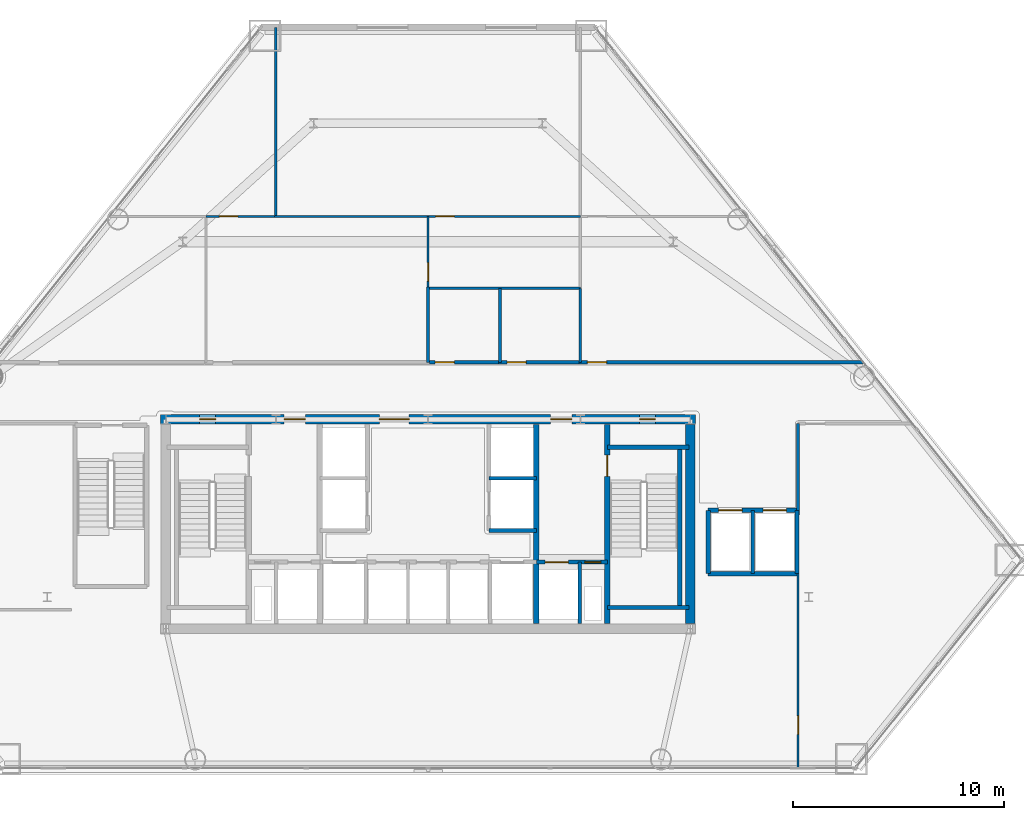
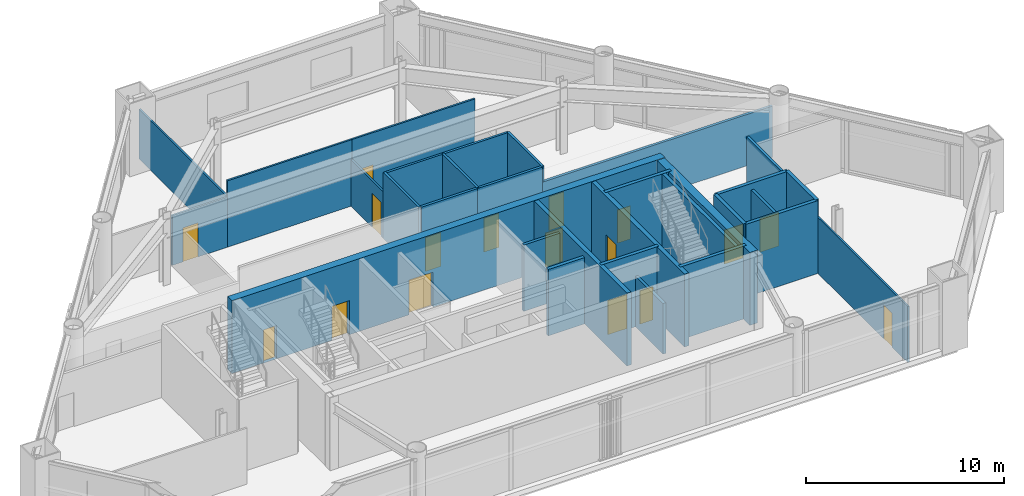
# One storey, part 9 of 13: 30 walls, 17 doors, 17 openings.
"""IFC4 building model written with IfcOpenShell, lengths in metres."""

from ifc_helpers import new_model, si_unit, direction, frame, frame_2d, origin, place, context, subcontext, project, spatial, rectangle, extrude, material, layer, layer_set, type_object, element, fill, save


model = new_model("IFC4")

# Units and contexts
model_context = context("Model", 3, precision=1e-05, world=origin(), true_north=direction((0.0, 1.0)))
body_context = subcontext(model_context, "Body", "Model", "MODEL_VIEW")
ifc_project = project(units=[si_unit("LENGTHUNIT", "METRE"), si_unit("AREAUNIT", "SQUARE_METRE"), si_unit("VOLUMEUNIT", "CUBIC_METRE"), si_unit("PLANEANGLEUNIT", "RADIAN"), si_unit("MASSUNIT", "GRAM", prefix="KILO")], contexts=[model_context])

# Site, building, storey
site_placement = place(None, origin())
site = spatial("IfcSite", under=ifc_project, at=site_placement, CompositionType="ELEMENT")
building_placement = place(site_placement, origin())
building = spatial("IfcBuilding", under=site, at=building_placement, Name="Talgorran Terracotta Tower", CompositionType="ELEMENT")
storey_placement = place(building_placement, frame((0.0, 0.0, 14.39990234375)))
storey = spatial("IfcBuildingStorey", under=building, at=storey_placement, Name="L03", CompositionType="ELEMENT", Elevation=14.39990234375)

# Walls
ifc_material_1 = material(Name="Concrete C50/60", Category="concrete")
ifc_layer_1 = layer(ifc_material_1, 0.199951171875, Name="WT_CORE_200")
ifc_layer_set_1 = layer_set([ifc_layer_1], Name="Concrete C50/60")
wall_type_1 = type_object("IfcWallType", Name="WT_CORE_200", PredefinedType="SOLIDWALL", material=ifc_layer_set_1)
for number, where, z_axis, x_axis, name in (
    (1, (8.47998046875, -5.52001953125, 0.0), (0.0, 0.0, 1.0), (1.0, 0.0, 0.0), "WL-L03-CW-ST2-N"),
    (2, (8.47998046875, -13.10009765625, 0.0), (0.0, 0.0, 1.0), (1.0, 0.0, 0.0), "WL-L03-CW-ST2-S"),
):
    element("IfcWall", number, at=place(storey_placement, frame(where, z_axis=z_axis, x_axis=x_axis)), inside=storey, type_object=wall_type_1, Name=name, PredefinedType="SOLIDWALL", context=body_context, shape_type="SweptSolid", body=[
        extrude(rectangle(XDim=3.8701171875, YDim=0.199951171875, at=frame_2d((1.93505859375, 0.0))), origin(), (0.0, 0.0, 1.0), 4.5),
    ])
wall_1_placement = place(storey_placement, frame((11.89990234375, -13.10009765625, 0.0), z_axis=(0.0, 0.0, 1.0), x_axis=(0.0, 1.0, 0.0)))
element("IfcWall", 3, at=wall_1_placement, inside=storey, type_object=wall_type_1, Name="WL-L03-CW-ST2-E", PredefinedType="SOLIDWALL", context=body_context, shape_type="SweptSolid", body=[
    extrude(rectangle(XDim=7.580078125, YDim=0.199951171875, at=frame_2d((3.7900390625, 0.0))), origin(), (0.0, 0.0, 1.0), 4.5),
])

# Wall, openings, doors
wall_2_placement = place(storey_placement, frame((5.1201171875, -10.949951171875, 0.0), z_axis=(0.0, 0.0, 1.0), x_axis=(1.0, 0.0, 0.0)))
wall_2 = element("IfcWall", 4, at=wall_2_placement, inside=storey, type_object=wall_type_1, Name="WL-L03-CW-H-SBE", PredefinedType="SOLIDWALL", context=body_context, shape_type="SweptSolid", body=[
    extrude(rectangle(XDim=3.35986328125, YDim=0.199951171875, at=frame_2d((1.679931640625, 0.0))), origin(), (0.0, 0.0, 1.0), 4.5),
])
opening_1_placement = place(wall_2_placement, frame((0.419921875, 0.0, 0.0)))
opening_1 = element("IfcOpeningElement", 5, at=opening_1_placement, cuts=wall_2, Name="Opening LD-FFL2", PredefinedType="OPENING", context=body_context, shape_type="SweptSolid", body=[
    extrude(rectangle(XDim=1.10609765625, YDim=2.10409765625, at=frame_2d((0.550048828125, 1.052001953125))), frame((0.0, 0.10986328125, 0.0), z_axis=(0.0, -1.0, 0.0), x_axis=(1.0, 0.0, 0.0)), (0.0, 0.0, 1.0), 0.219970703125),
])
opening_2_placement = place(wall_2_placement, frame((2.300048828125, 0.0, 0.0)))
opening_2 = element("IfcOpeningElement", 6, at=opening_2_placement, cuts=wall_2, Name="Opening DR-RSE", PredefinedType="OPENING", context=body_context, shape_type="SweptSolid", body=[
    extrude(rectangle(XDim=0.756, YDim=2.054048828125, at=frame_2d((0.375, 1.027099609375))), frame((0.0, 0.10986328125, 0.0), z_axis=(0.0, -1.0, 0.0), x_axis=(1.0, 0.0, 0.0)), (0.0, 0.0, 1.0), 0.219970703125),
])
ifc_material_2 = material(Name="Brushed Stainless Steel Grade 304", Category="steel")
door_type_1 = type_object("IfcDoorType", Name="DT_LIFT_LD1100", OperationType="DOUBLE_DOOR_SLIDING", PredefinedType="DOOR", material=ifc_material_2)
door_1_placement = place(opening_1_placement, origin())
door_1 = element("IfcDoor", 7, at=door_1_placement, inside=storey, type_object=door_type_1, Name="L03 Lift Landing Door LD-FFL2", OperationType="DOUBLE_DOOR_SLIDING", OverallHeight=2.10009765625, OverallWidth=1.10009765625, PredefinedType="DOOR", context=body_context, shape_type="SweptSolid", body=[
    extrude(rectangle(XDim=1.10009765625, YDim=2.10009765625, at=frame_2d((0.550048828125, 1.050048828125))), frame((0.0, 0.02490234375, 0.0), z_axis=(0.0, -1.0, 0.0), x_axis=(1.0, 0.0, 0.0)), (0.0, 0.0, 1.0), 0.050048828125),
])
fill(opening_1, door_1)
ifc_material_3 = material(Name="Fire-Rated Pressed Steel", Category="steel")
door_type_2 = type_object("IfcDoorType", Name="DT_RISER_750", OperationType="NOTDEFINED", PredefinedType="DOOR", material=ifc_material_3)
door_2_placement = place(opening_2_placement, origin())
door_2 = element("IfcDoor", 8, at=door_2_placement, inside=storey, type_object=door_type_2, Name="DR-RSE", OperationType="SINGLE_SWING_RIGHT", OverallHeight=2.050048828125, OverallWidth=0.75, PredefinedType="DOOR", context=body_context, shape_type="SweptSolid", body=[
    extrude(rectangle(XDim=0.75, YDim=2.050048828125, at=frame_2d((0.375, 1.02490234375))), frame((0.0, 0.02490234375, 0.0), z_axis=(0.0, -1.0, 0.0), x_axis=(1.0, 0.0, 0.0)), (0.0, 0.0, 1.0), 0.050048828125),
])
fill(opening_2, door_2)

# Walls
wall_3_placement = place(storey_placement, frame((2.8798828125, -9.449951171875, 0.0), z_axis=(0.0, 0.0, 1.0), x_axis=(1.0, 0.0, 0.0)))
element("IfcWall", 9, at=wall_3_placement, inside=storey, type_object=wall_type_1, Name="WL-L03-CW-H-E4", PredefinedType="SOLIDWALL", context=body_context, shape_type="SweptSolid", body=[
    extrude(rectangle(XDim=2.240234375, YDim=0.199951171875, at=frame_2d((1.1201171875, 0.0))), origin(), (0.0, 0.0, 1.0), 4.10009765625),
])
wall_4_placement = place(storey_placement, frame((13.25, -11.5, 0.0), z_axis=(0.0, 0.0, 1.0), x_axis=(1.0, 0.0, 0.0)))
element("IfcWall", 10, at=wall_4_placement, inside=storey, type_object=wall_type_1, Name="WL-L03-PW-HL-S", PredefinedType="SOLIDWALL", context=body_context, shape_type="SweptSolid", body=[
    extrude(rectangle(XDim=4.199951171875, YDim=0.199951171875, at=frame_2d((2.10009765625, 0.0))), origin(), (0.0, 0.0, 1.0), 4.5),
])

# Wall, openings, doors
wall_5_placement = place(storey_placement, frame((13.25, -8.5, 0.0), z_axis=(0.0, 0.0, 1.0), x_axis=(1.0, 0.0, 0.0)))
wall_5 = element("IfcWall", 11, at=wall_5_placement, inside=storey, type_object=wall_type_1, Name="WL-L03-PW-HL-N", PredefinedType="SOLIDWALL", context=body_context, shape_type="SweptSolid", body=[
    extrude(rectangle(XDim=4.199951171875, YDim=0.199951171875, at=frame_2d((2.10009765625, 0.0))), origin(), (0.0, 0.0, 1.0), 4.5),
])
opening_3_placement = place(wall_5_placement, frame((0.5, 0.0, 0.0)))
opening_3 = element("IfcOpeningElement", 12, at=opening_3_placement, cuts=wall_5, Name="Opening LD-HL1", PredefinedType="OPENING", context=body_context, shape_type="SweptSolid", body=[
    extrude(rectangle(XDim=1.10609765625, YDim=2.10409765625, at=frame_2d((0.550048828125, 1.052001953125))), frame((0.0, 0.10986328125, 0.0), z_axis=(0.0, -1.0, 0.0), x_axis=(1.0, 0.0, 0.0)), (0.0, 0.0, 1.0), 0.219970703125),
])
opening_4_placement = place(wall_5_placement, frame((2.60009765625, 0.0, 0.0)))
opening_4 = element("IfcOpeningElement", 13, at=opening_4_placement, cuts=wall_5, Name="Opening LD-HL2", PredefinedType="OPENING", context=body_context, shape_type="SweptSolid", body=[
    extrude(rectangle(XDim=1.10609765625, YDim=2.10409765625, at=frame_2d((0.550048828125, 1.052001953125))), frame((0.0, 0.10986328125, 0.0), z_axis=(0.0, -1.0, 0.0), x_axis=(1.0, 0.0, 0.0)), (0.0, 0.0, 1.0), 0.219970703125),
])
door_3_placement = place(opening_3_placement, origin())
door_3 = element("IfcDoor", 14, at=door_3_placement, inside=storey, type_object=door_type_1, Name="L03 Lift Landing Door LD-HL1", OperationType="DOUBLE_DOOR_SLIDING", OverallHeight=2.10009765625, OverallWidth=1.10009765625, PredefinedType="DOOR", context=body_context, shape_type="SweptSolid", body=[
    extrude(rectangle(XDim=1.10009765625, YDim=2.10009765625, at=frame_2d((0.550048828125, 1.050048828125))), frame((0.0, 0.02490234375, 0.0), z_axis=(0.0, -1.0, 0.0), x_axis=(1.0, 0.0, 0.0)), (0.0, 0.0, 1.0), 0.050048828125),
])
fill(opening_3, door_3)
door_4_placement = place(opening_4_placement, origin())
door_4 = element("IfcDoor", 15, at=door_4_placement, inside=storey, type_object=door_type_1, Name="L03 Lift Landing Door LD-HL2", OperationType="DOUBLE_DOOR_SLIDING", OverallHeight=2.10009765625, OverallWidth=1.10009765625, PredefinedType="DOOR", context=body_context, shape_type="SweptSolid", body=[
    extrude(rectangle(XDim=1.10009765625, YDim=2.10009765625, at=frame_2d((0.550048828125, 1.050048828125))), frame((0.0, 0.02490234375, 0.0), z_axis=(0.0, -1.0, 0.0), x_axis=(1.0, 0.0, 0.0)), (0.0, 0.0, 1.0), 0.050048828125),
])
fill(opening_4, door_4)

# Walls
for number, where, z_axis, x_axis, name in (
    (16, (13.25, -11.5, 0.0), (0.0, 0.0, 1.0), (0.0, 1.0, 0.0), "WL-L03-PW-HL-W"),
    (17, (17.449951171875, -11.5, 0.0), (0.0, 0.0, 1.0), (0.0, 1.0, 0.0), "WL-L03-PW-HL-E"),
):
    element("IfcWall", number, at=place(storey_placement, frame(where, z_axis=z_axis, x_axis=x_axis)), inside=storey, type_object=wall_type_1, Name=name, PredefinedType="SOLIDWALL", context=body_context, shape_type="SweptSolid", body=[
        extrude(rectangle(XDim=3.0, YDim=0.199951171875, at=frame_2d((1.5, 0.0))), origin(), (0.0, 0.0, 1.0), 4.5),
    ])

# Wall, opening, door
ifc_layer_2 = layer(ifc_material_1, 0.25, Name="WT_CORE_250")
ifc_layer_set_2 = layer_set([ifc_layer_2], Name="Concrete C50/60")
wall_type_2 = type_object("IfcWallType", Name="WT_CORE_250", PredefinedType="SHEAR", material=ifc_layer_set_2)
wall_6_placement = place(storey_placement, frame((8.47998046875, -13.85009765625, 0.0), z_axis=(0.0, 0.0, 1.0), x_axis=(0.0, 1.0, 0.0)))
wall_6 = element("IfcWall", 18, at=wall_6_placement, inside=storey, type_object=wall_type_2, Name="WL-L03-CW-V-E1", PredefinedType="SHEAR", context=body_context, shape_type="SweptSolid", body=[
    extrude(rectangle(XDim=9.400146484375, YDim=0.25, at=frame_2d((4.7001953125, 0.0))), origin(), (0.0, 0.0, 1.0), 4.5),
])
opening_5_placement = place(wall_6_placement, frame((6.949951171875, 0.0, 0.0)))
opening_5 = element("IfcOpeningElement", 19, at=opening_5_placement, cuts=wall_6, Name="Opening DR-ST02", PredefinedType="OPENING", context=body_context, shape_type="SweptSolid", body=[
    extrude(rectangle(XDim=1.006, YDim=2.10409765625, at=frame_2d((0.5, 1.052001953125))), frame((0.0, 0.135009765625, 0.0), z_axis=(0.0, -1.0, 0.0), x_axis=(1.0, 0.0, 0.0)), (0.0, 0.0, 1.0), 0.27001953125),
])
door_type_3 = type_object("IfcDoorType", Name="DT_FIRE_1000", OperationType="NOTDEFINED", PredefinedType="DOOR", material=ifc_material_3)
door_5_placement = place(opening_5_placement, origin())
door_5 = element("IfcDoor", 20, at=door_5_placement, inside=storey, type_object=door_type_3, Name="DR-ST02", OperationType="SINGLE_SWING_RIGHT", OverallHeight=2.10009765625, OverallWidth=1.0, PredefinedType="DOOR", context=body_context, shape_type="SweptSolid", body=[
    extrude(rectangle(XDim=1.0, YDim=2.10009765625, at=frame_2d((0.5, 1.050048828125))), frame((0.0, 0.02490234375, 0.0), z_axis=(0.0, -1.0, 0.0), x_axis=(1.0, 0.0, 0.0)), (0.0, 0.0, 1.0), 0.050048828125),
])
fill(opening_5, door_5)

# Wall
wall_7_placement = place(storey_placement, frame((5.1201171875, -13.85009765625, 0.0), z_axis=(0.0, 0.0, 1.0), x_axis=(0.0, 1.0, 0.0)))
element("IfcWall", 21, at=wall_7_placement, inside=storey, type_object=wall_type_2, Name="WL-L03-CW-V-E2", PredefinedType="SHEAR", context=body_context, shape_type="SweptSolid", body=[
    extrude(rectangle(XDim=9.400146484375, YDim=0.25, at=frame_2d((4.7001953125, 0.0))), origin(), (0.0, 0.0, 1.0), 4.5),
])

# Wall, openings, doors
ifc_material_4 = material(Name="Concrete C65/80", Category="concrete")
ifc_layer_3 = layer(ifc_material_4, 0.449951171875, Name="WT_CORE_EXT")
ifc_layer_set_3 = layer_set([ifc_layer_3], Name="Concrete C65/80")
wall_type_3 = type_object("IfcWallType", Name="WT_CORE_EXT", PredefinedType="SHEAR", material=ifc_layer_set_3)
wall_8_placement = place(storey_placement, frame((-12.64990234375, -4.199951171875, 0.0), z_axis=(0.0, 0.0, 1.0), x_axis=(1.0, 0.0, 0.0)))
wall_8 = element("IfcWall", 22, at=wall_8_placement, inside=storey, type_object=wall_type_3, Name="WL-L03-CW-OUT-N", PredefinedType="SHEAR", context=body_context, shape_type="SweptSolid", body=[
    extrude(rectangle(XDim=25.2998046875, YDim=0.449951171875, at=frame_2d((12.64990234375, 0.0))), origin(), (0.0, 0.0, 1.0), 4.5),
])
opening_6_placement = place(wall_8_placement, frame((1.85009765625, 0.0, 0.0)))
opening_6 = element("IfcOpeningElement", 23, at=opening_6_placement, cuts=wall_8, Name="Opening DR-CSN1", PredefinedType="OPENING", context=body_context, shape_type="SweptSolid", body=[
    extrude(rectangle(XDim=0.756, YDim=2.054048828125, at=frame_2d((0.375, 1.027099609375))), frame((0.0, 0.23486328125, 0.0), z_axis=(0.0, -1.0, 0.0), x_axis=(1.0, 0.0, 0.0)), (0.0, 0.0, 1.0), 0.469970703125),
])
opening_7_placement = place(wall_8_placement, frame((22.64990234375, 0.0, 0.0)))
opening_7 = element("IfcOpeningElement", 24, at=opening_7_placement, cuts=wall_8, Name="Opening DR-CSN2", PredefinedType="OPENING", context=body_context, shape_type="SweptSolid", body=[
    extrude(rectangle(XDim=0.756, YDim=2.054048828125, at=frame_2d((0.375, 1.027099609375))), frame((0.0, 0.23486328125, 0.0), z_axis=(0.0, -1.0, 0.0), x_axis=(1.0, 0.0, 0.0)), (0.0, 0.0, 1.0), 0.469970703125),
])
opening_8_placement = place(wall_8_placement, frame((5.85009765625, 0.0, 0.0)))
opening_8 = element("IfcOpeningElement", 25, at=opening_8_placement, cuts=wall_8, Name="Opening DR-FFLW-N", PredefinedType="OPENING", context=body_context, shape_type="SweptSolid", body=[
    extrude(rectangle(XDim=1.006, YDim=2.10409765625, at=frame_2d((0.5, 1.052001953125))), frame((0.0, 0.23486328125, 0.0), z_axis=(0.0, -1.0, 0.0), x_axis=(1.0, 0.0, 0.0)), (0.0, 0.0, 1.0), 0.469970703125),
])
opening_9_placement = place(wall_8_placement, frame((10.35009765625, 0.0, 0.0)))
opening_9 = element("IfcOpeningElement", 26, at=opening_9_placement, cuts=wall_8, Name="Opening DR-PLL-N", PredefinedType="OPENING", context=body_context, shape_type="SweptSolid", body=[
    extrude(rectangle(XDim=1.40590234375, YDim=2.15390234375, at=frame_2d((0.699951171875, 1.076904296875))), frame((0.0, 0.23486328125, 0.0), z_axis=(0.0, -1.0, 0.0), x_axis=(1.0, 0.0, 0.0)), (0.0, 0.0, 1.0), 0.469970703125),
])
opening_10_placement = place(wall_8_placement, frame((18.449951171875, 0.0, 0.0)))
opening_10 = element("IfcOpeningElement", 27, at=opening_10_placement, cuts=wall_8, Name="Opening DR-FFLE-N", PredefinedType="OPENING", context=body_context, shape_type="SweptSolid", body=[
    extrude(rectangle(XDim=1.006, YDim=2.10409765625, at=frame_2d((0.5, 1.052001953125))), frame((0.0, 0.23486328125, 0.0), z_axis=(0.0, -1.0, 0.0), x_axis=(1.0, 0.0, 0.0)), (0.0, 0.0, 1.0), 0.469970703125),
])
ifc_material_5 = material(Name="Acoustic Glazed Timber", Category="wood")
door_type_4 = type_object("IfcDoorType", Name="DT_DOUBLE_1400", OperationType="DOUBLE_DOOR_SINGLE_SWING", PredefinedType="DOOR", material=ifc_material_5)
door_6_placement = place(opening_9_placement, origin())
door_6 = element("IfcDoor", 28, at=door_6_placement, inside=storey, type_object=door_type_4, Name="DR-PLL-N", OperationType="DOUBLE_DOOR_SINGLE_SWING", OverallHeight=2.14990234375, OverallWidth=1.39990234375, PredefinedType="DOOR", context=body_context, shape_type="SweptSolid", body=[
    extrude(rectangle(XDim=1.39990234375, YDim=2.14990234375, at=frame_2d((0.699951171875, 1.074951171875))), frame((0.0, 0.02490234375, 0.0), z_axis=(0.0, -1.0, 0.0), x_axis=(1.0, 0.0, 0.0)), (0.0, 0.0, 1.0), 0.050048828125),
])
fill(opening_9, door_6)
door_7_placement = place(opening_8_placement, origin())
door_7 = element("IfcDoor", 29, at=door_7_placement, inside=storey, type_object=door_type_3, Name="DR-FFLW-N", OperationType="SINGLE_SWING_LEFT", OverallHeight=2.10009765625, OverallWidth=1.0, PredefinedType="DOOR", context=body_context, shape_type="SweptSolid", body=[
    extrude(rectangle(XDim=1.0, YDim=2.10009765625, at=frame_2d((0.5, 1.050048828125))), frame((0.0, 0.02490234375, 0.0), z_axis=(0.0, -1.0, 0.0), x_axis=(1.0, 0.0, 0.0)), (0.0, 0.0, 1.0), 0.050048828125),
])
fill(opening_8, door_7)
door_8_placement = place(opening_10_placement, origin())
door_8 = element("IfcDoor", 30, at=door_8_placement, inside=storey, type_object=door_type_3, Name="DR-FFLE-N", OperationType="SINGLE_SWING_RIGHT", OverallHeight=2.10009765625, OverallWidth=1.0, PredefinedType="DOOR", context=body_context, shape_type="SweptSolid", body=[
    extrude(rectangle(XDim=1.0, YDim=2.10009765625, at=frame_2d((0.5, 1.050048828125))), frame((0.0, 0.02490234375, 0.0), z_axis=(0.0, -1.0, 0.0), x_axis=(1.0, 0.0, 0.0)), (0.0, 0.0, 1.0), 0.050048828125),
])
fill(opening_10, door_8)
door_9_placement = place(opening_6_placement, origin())
door_9 = element("IfcDoor", 31, at=door_9_placement, inside=storey, type_object=door_type_2, Name="DR-CSN1", OperationType="SINGLE_SWING_LEFT", OverallHeight=2.050048828125, OverallWidth=0.75, PredefinedType="DOOR", context=body_context, shape_type="SweptSolid", body=[
    extrude(rectangle(XDim=0.75, YDim=2.050048828125, at=frame_2d((0.375, 1.02490234375))), frame((0.0, 0.02490234375, 0.0), z_axis=(0.0, -1.0, 0.0), x_axis=(1.0, 0.0, 0.0)), (0.0, 0.0, 1.0), 0.050048828125),
])
fill(opening_6, door_9)
door_10_placement = place(opening_7_placement, origin())
door_10 = element("IfcDoor", 32, at=door_10_placement, inside=storey, type_object=door_type_2, Name="DR-CSN2", OperationType="SINGLE_SWING_RIGHT", OverallHeight=2.050048828125, OverallWidth=0.75, PredefinedType="DOOR", context=body_context, shape_type="SweptSolid", body=[
    extrude(rectangle(XDim=0.75, YDim=2.050048828125, at=frame_2d((0.375, 1.02490234375))), frame((0.0, 0.02490234375, 0.0), z_axis=(0.0, -1.0, 0.0), x_axis=(1.0, 0.0, 0.0)), (0.0, 0.0, 1.0), 0.050048828125),
])
fill(opening_7, door_10)

# Wall
wall_9_placement = place(storey_placement, frame((12.39990234375, -13.85009765625, 0.0), z_axis=(0.0, 0.0, 1.0), x_axis=(0.0, 1.0, 0.0)))
element("IfcWall", 33, at=wall_9_placement, inside=storey, type_object=wall_type_3, Name="WL-L03-CW-OUT-E", PredefinedType="SHEAR", context=body_context, shape_type="SweptSolid", body=[
    extrude(rectangle(XDim=9.400146484375, YDim=0.449951171875, at=frame_2d((4.7001953125, 0.0))), origin(), (0.0, 0.0, 1.0), 4.5),
])

# Wall, opening, door
ifc_material_6 = material(Name="Fire-Rated Steel Stud Plasterboard", Category="steel")
ifc_layer_4 = layer(ifc_material_6, 0.14990234375, Name="WT_FIRE_150")
ifc_layer_set_4 = layer_set([ifc_layer_4], Name="Fire-Rated Steel Stud Plasterboard")
wall_type_4 = type_object("IfcWallType", Name="WT_FIRE_150", PredefinedType="PARTITIONING", material=ifc_layer_set_4)
wall_10_placement = place(storey_placement, frame((7.139892578125, -1.5, 0.0), z_axis=(0.0, 0.0, 1.0), x_axis=(1.0, 0.0, 0.0)))
wall_10 = element("IfcWall", 34, at=wall_10_placement, inside=storey, type_object=wall_type_4, Name="WL-L03-W-L03-R08", PredefinedType="PARTITIONING", context=body_context, shape_type="SweptSolid", body=[
    extrude(rectangle(XDim=13.44921875, YDim=0.14990234375, at=frame_2d((6.724609375, 0.0))), origin(), (0.0, 0.0, 1.0), 3.1669921875),
])
opening_11_placement = place(wall_10_placement, frame((0.3994140625, 0.0, 0.0)))
opening_11 = element("IfcOpeningElement", 35, at=opening_11_placement, cuts=wall_10, Name="Opening DR-L03-R09", PredefinedType="OPENING", context=body_context, shape_type="SweptSolid", body=[
    extrude(rectangle(XDim=0.90590234375, YDim=2.10409765625, at=frame_2d((0.449951171875, 1.052001953125))), frame((0.0, 0.0849609375, 0.0), z_axis=(0.0, -1.0, 0.0), x_axis=(1.0, 0.0, 0.0)), (0.0, 0.0, 1.0), 0.169921875),
])
ifc_material_7 = material(Name="Fire-Rated Timber Core", Category="wood")
door_type_5 = type_object("IfcDoorType", Name="DT_FIRE_900", OperationType="NOTDEFINED", PredefinedType="DOOR", material=ifc_material_7)
door_11_placement = place(opening_11_placement, origin())
door_11 = element("IfcDoor", 36, at=door_11_placement, inside=storey, type_object=door_type_5, Name="DR-L03-R09", OperationType="SINGLE_SWING_LEFT", OverallHeight=2.10009765625, OverallWidth=0.89990234375, PredefinedType="DOOR", context=body_context, shape_type="SweptSolid", body=[
    extrude(rectangle(XDim=0.89990234375, YDim=2.10009765625, at=frame_2d((0.449951171875, 1.050048828125))), frame((0.0, 0.02490234375, 0.0), z_axis=(0.0, -1.0, 0.0), x_axis=(1.0, 0.0, 0.0)), (0.0, 0.0, 1.0), 0.050048828125),
])
fill(opening_11, door_11)

# Wall
wall_11_placement = place(storey_placement, frame((17.5, -8.719970703125, 0.0), z_axis=(0.0, 0.0, 1.0), x_axis=(0.0, 1.0, 0.0)))
element("IfcWall", 37, at=wall_11_placement, inside=storey, type_object=wall_type_4, Name="WL-L03-W-L03-R02", PredefinedType="PARTITIONING", context=body_context, shape_type="SweptSolid", body=[
    extrude(rectangle(XDim=4.320068359375, YDim=0.14990234375, at=frame_2d((2.16015625, 0.0))), origin(), (0.0, 0.0, 1.0), 4.10009765625),
])

# Wall, opening, door
wall_12_placement = place(storey_placement, frame((3.340087890625, -1.5, 0.0), z_axis=(0.0, 0.0, 1.0), x_axis=(1.0, 0.0, 0.0)))
wall_12 = element("IfcWall", 38, at=wall_12_placement, inside=storey, type_object=wall_type_4, Name="WL-L03-W-L03-R07", PredefinedType="PARTITIONING", context=body_context, shape_type="SweptSolid", body=[
    extrude(rectangle(XDim=3.7978515625, YDim=0.14990234375, at=frame_2d((1.89892578125, 0.0))), origin(), (0.0, 0.0, 1.0), 4.10009765625),
])
opening_12_placement = place(wall_12_placement, frame((0.39794921875, 0.0, 0.0)))
opening_12 = element("IfcOpeningElement", 39, at=opening_12_placement, cuts=wall_12, Name="Opening DR-L03-R07", PredefinedType="OPENING", context=body_context, shape_type="SweptSolid", body=[
    extrude(rectangle(XDim=0.90590234375, YDim=2.10409765625, at=frame_2d((0.449951171875, 1.052001953125))), frame((0.0, 0.0849609375, 0.0), z_axis=(0.0, -1.0, 0.0), x_axis=(1.0, 0.0, 0.0)), (0.0, 0.0, 1.0), 0.169921875),
])
door_12_placement = place(opening_12_placement, origin())
door_12 = element("IfcDoor", 40, at=door_12_placement, inside=storey, type_object=door_type_5, Name="DR-L03-R07", OperationType="SINGLE_SWING_LEFT", OverallHeight=2.10009765625, OverallWidth=0.89990234375, PredefinedType="DOOR", context=body_context, shape_type="SweptSolid", body=[
    extrude(rectangle(XDim=0.89990234375, YDim=2.10009765625, at=frame_2d((0.449951171875, 1.050048828125))), frame((0.0, 0.02490234375, 0.0), z_axis=(0.0, -1.0, 0.0), x_axis=(1.0, 0.0, 0.0)), (0.0, 0.0, 1.0), 0.050048828125),
])
fill(opening_12, door_12)

wall_13_placement = place(storey_placement, frame((0.06201171875, -1.5, 0.0), z_axis=(0.0, 0.0, 1.0), x_axis=(1.0, 0.0, 0.0)))
wall_13 = element("IfcWall", 41, at=wall_13_placement, inside=storey, type_object=wall_type_4, Name="WL-L03-W-L03-R06", PredefinedType="PARTITIONING", context=body_context, shape_type="SweptSolid", body=[
    extrude(rectangle(XDim=3.27587890625, YDim=0.14990234375, at=frame_2d((1.637939453125, 0.0))), origin(), (0.0, 0.0, 1.0), 4.10009765625),
])
opening_13_placement = place(wall_13_placement, frame((0.275634765625, 0.0, 0.0)))
opening_13 = element("IfcOpeningElement", 42, at=opening_13_placement, cuts=wall_13, Name="Opening DR-L03-R06", PredefinedType="OPENING", context=body_context, shape_type="SweptSolid", body=[
    extrude(rectangle(XDim=0.90590234375, YDim=2.10409765625, at=frame_2d((0.449951171875, 1.052001953125))), frame((0.0, 0.0849609375, 0.0), z_axis=(0.0, -1.0, 0.0), x_axis=(1.0, 0.0, 0.0)), (0.0, 0.0, 1.0), 0.169921875),
])
door_13_placement = place(opening_13_placement, origin())
door_13 = element("IfcDoor", 43, at=door_13_placement, inside=storey, type_object=door_type_5, Name="DR-L03-R06", OperationType="SINGLE_SWING_RIGHT", OverallHeight=2.10009765625, OverallWidth=0.89990234375, PredefinedType="DOOR", context=body_context, shape_type="SweptSolid", body=[
    extrude(rectangle(XDim=0.89990234375, YDim=2.10009765625, at=frame_2d((0.449951171875, 1.050048828125))), frame((0.0, 0.02490234375, 0.0), z_axis=(0.0, -1.0, 0.0), x_axis=(1.0, 0.0, 0.0)), (0.0, 0.0, 1.0), 0.050048828125),
])
fill(opening_13, door_13)

ifc_material_8 = material(Name="Lightweight Steel Stud Partition", Category="steel")
ifc_layer_5 = layer(ifc_material_8, 0.10498046875, Name="WT_PART_110")
ifc_layer_set_5 = layer_set([ifc_layer_5], Name="Lightweight Steel Stud Partition")
wall_type_5 = type_object("IfcWallType", Name="WT_PART_110", PredefinedType="PARTITIONING", material=ifc_layer_set_5)
wall_14_placement = place(storey_placement, frame((17.5, -20.679931640625, 0.0), z_axis=(0.0, 0.0, 1.0), x_axis=(0.0, 1.0, 0.0)))
wall_14 = element("IfcWall", 44, at=wall_14_placement, inside=storey, type_object=wall_type_5, Name="WL-L03-W-L03-R10", PredefinedType="PARTITIONING", context=body_context, shape_type="SweptSolid", body=[
    extrude(rectangle(XDim=9.33984375, YDim=0.10498046875, at=frame_2d((4.669921875, 0.0))), origin(), (0.0, 0.0, 1.0), 3.46337890625),
])
opening_14_placement = place(wall_14_placement, frame((1.576416015625, 0.0, 0.0)))
opening_14 = element("IfcOpeningElement", 45, at=opening_14_placement, cuts=wall_14, Name="Opening DR-L03-R03", PredefinedType="OPENING", context=body_context, shape_type="SweptSolid", body=[
    extrude(rectangle(XDim=0.8858828125, YDim=2.10409765625, at=frame_2d((0.43994140625, 1.052001953125))), frame((0.0, 0.0625, 0.0), z_axis=(0.0, -1.0, 0.0), x_axis=(1.0, 0.0, 0.0)), (0.0, 0.0, 1.0), 0.125),
])
ifc_material_9 = material(Name="Solid-Core Painted Timber", Category="wood")
door_type_6 = type_object("IfcDoorType", Name="DT_INT_880", OperationType="NOTDEFINED", PredefinedType="DOOR", material=ifc_material_9)
door_14_placement = place(opening_14_placement, origin())
door_14 = element("IfcDoor", 46, at=door_14_placement, inside=storey, type_object=door_type_6, Name="DR-L03-R03", OperationType="SINGLE_SWING_LEFT", OverallHeight=2.10009765625, OverallWidth=0.8798828125, PredefinedType="DOOR", context=body_context, shape_type="SweptSolid", body=[
    extrude(rectangle(XDim=0.8798828125, YDim=2.10009765625, at=frame_2d((0.43994140625, 1.050048828125))), frame((0.0, 0.02490234375, 0.0), z_axis=(0.0, -1.0, 0.0), x_axis=(1.0, 0.0, 0.0)), (0.0, 0.0, 1.0), 0.050048828125),
])
fill(opening_14, door_14)

# Walls
wall_15_placement = place(storey_placement, frame((-7.199951171875, 5.39990234375, 0.0), z_axis=(0.0, 0.0, 1.0), x_axis=(0.0, 1.0, 0.0)))
element("IfcWall", 47, at=wall_15_placement, inside=storey, type_object=wall_type_5, Name="WL-L03-W-L03-R24", PredefinedType="PARTITIONING", context=body_context, shape_type="SweptSolid", body=[
    extrude(rectangle(XDim=8.93603515625, YDim=0.10498046875, at=frame_2d((4.468017578125, 0.0))), origin(), (0.0, 0.0, 1.0), 3.0751953125),
])
wall_16_placement = place(storey_placement, frame((-7.260009765625, 5.39990234375, 0.0), z_axis=(0.0, 0.0, 1.0), x_axis=(1.0, 0.0, 0.0)))
element("IfcWall", 48, at=wall_16_placement, inside=storey, type_object=wall_type_5, Name="WL-L03-W-L03-R16", PredefinedType="PARTITIONING", context=body_context, shape_type="SweptSolid", body=[
    extrude(rectangle(XDim=7.260009765625, YDim=0.10498046875, at=frame_2d((3.6298828125, 0.0))), origin(), (0.0, 0.0, 1.0), 4.10009765625),
])

# Wall, opening, door
wall_17_placement = place(storey_placement, frame((0.0, 5.39990234375, 0.0), z_axis=(0.0, 0.0, 1.0), x_axis=(1.0, 0.0, 0.0)))
wall_17 = element("IfcWall", 49, at=wall_17_placement, inside=storey, type_object=wall_type_5, Name="WL-L03-W-L03-R22", PredefinedType="PARTITIONING", context=body_context, shape_type="SweptSolid", body=[
    extrude(rectangle(XDim=7.199951171875, YDim=0.10498046875, at=frame_2d((3.60009765625, 0.0))), origin(), (0.0, 0.0, 1.0), 4.10009765625),
])
opening_15_placement = place(wall_17_placement, frame((0.3583984375, 0.0, 0.0)))
opening_15 = element("IfcOpeningElement", 50, at=opening_15_placement, cuts=wall_17, Name="Opening DR-L03-R11", PredefinedType="OPENING", context=body_context, shape_type="SweptSolid", body=[
    extrude(rectangle(XDim=0.8858828125, YDim=2.10409765625, at=frame_2d((0.43994140625, 1.052001953125))), frame((0.0, 0.0625, 0.0), z_axis=(0.0, -1.0, 0.0), x_axis=(1.0, 0.0, 0.0)), (0.0, 0.0, 1.0), 0.125),
])
door_15_placement = place(opening_15_placement, origin())
door_15 = element("IfcDoor", 51, at=door_15_placement, inside=storey, type_object=door_type_6, Name="DR-L03-R11", OperationType="SINGLE_SWING_LEFT", OverallHeight=2.10009765625, OverallWidth=0.8798828125, PredefinedType="DOOR", context=body_context, shape_type="SweptSolid", body=[
    extrude(rectangle(XDim=0.8798828125, YDim=2.10009765625, at=frame_2d((0.43994140625, 1.050048828125))), frame((0.0, 0.02490234375, 0.0), z_axis=(0.0, -1.0, 0.0), x_axis=(1.0, 0.0, 0.0)), (0.0, 0.0, 1.0), 0.050048828125),
])
fill(opening_15, door_15)

wall_18_placement = place(storey_placement, frame((0.0, 2.06201171875, 0.0), z_axis=(0.0, 0.0, 1.0), x_axis=(0.0, 1.0, 0.0)))
wall_18 = element("IfcWall", 52, at=wall_18_placement, inside=storey, type_object=wall_type_5, Name="WL-L03-W-L03-R14", PredefinedType="PARTITIONING", context=body_context, shape_type="SweptSolid", body=[
    extrude(rectangle(XDim=3.337890625, YDim=0.10498046875, at=frame_2d((1.6689453125, 0.0))), origin(), (0.0, 0.0, 1.0), 2.875),
])
opening_16_placement = place(wall_18_placement, frame((0.275634765625, 0.0, 0.0)))
opening_16 = element("IfcOpeningElement", 53, at=opening_16_placement, cuts=wall_18, Name="Opening DR-L03-R08", PredefinedType="OPENING", context=body_context, shape_type="SweptSolid", body=[
    extrude(rectangle(XDim=0.8858828125, YDim=2.10409765625, at=frame_2d((0.43994140625, 1.052001953125))), frame((0.0, 0.0625, 0.0), z_axis=(0.0, -1.0, 0.0), x_axis=(1.0, 0.0, 0.0)), (0.0, 0.0, 1.0), 0.125),
])
door_16_placement = place(opening_16_placement, origin())
door_16 = element("IfcDoor", 54, at=door_16_placement, inside=storey, type_object=door_type_6, Name="DR-L03-R08", OperationType="SINGLE_SWING_RIGHT", OverallHeight=2.10009765625, OverallWidth=0.8798828125, PredefinedType="DOOR", context=body_context, shape_type="SweptSolid", body=[
    extrude(rectangle(XDim=0.8798828125, YDim=2.10009765625, at=frame_2d((0.43994140625, 1.050048828125))), frame((0.0, 0.02490234375, 0.0), z_axis=(0.0, -1.0, 0.0), x_axis=(1.0, 0.0, 0.0)), (0.0, 0.0, 1.0), 0.050048828125),
])
fill(opening_16, door_16)

wall_19_placement = place(storey_placement, frame((-10.5, 5.39990234375, 0.0), z_axis=(0.0, 0.0, 1.0), x_axis=(1.0, 0.0, 0.0)))
wall_19 = element("IfcWall", 55, at=wall_19_placement, inside=storey, type_object=wall_type_5, Name="WL-L03-W-L03-R15", PredefinedType="PARTITIONING", context=body_context, shape_type="SweptSolid", body=[
    extrude(rectangle(XDim=3.238037109375, YDim=0.10498046875, at=frame_2d((1.619140625, 0.0))), origin(), (0.0, 0.0, 1.0), 3.0751953125),
])
opening_17_placement = place(wall_19_placement, frame((0.630859375, 0.0, 0.0)))
opening_17 = element("IfcOpeningElement", 56, at=opening_17_placement, cuts=wall_19, Name="Opening DR-L03-R10", PredefinedType="OPENING", context=body_context, shape_type="SweptSolid", body=[
    extrude(rectangle(XDim=0.8858828125, YDim=2.10409765625, at=frame_2d((0.43994140625, 1.052001953125))), frame((0.0, 0.0625, 0.0), z_axis=(0.0, -1.0, 0.0), x_axis=(1.0, 0.0, 0.0)), (0.0, 0.0, 1.0), 0.125),
])
door_17_placement = place(opening_17_placement, origin())
door_17 = element("IfcDoor", 57, at=door_17_placement, inside=storey, type_object=door_type_6, Name="DR-L03-R10", OperationType="SINGLE_SWING_RIGHT", OverallHeight=2.10009765625, OverallWidth=0.8798828125, PredefinedType="DOOR", context=body_context, shape_type="SweptSolid", body=[
    extrude(rectangle(XDim=0.8798828125, YDim=2.10009765625, at=frame_2d((0.43994140625, 1.050048828125))), frame((0.0, 0.02490234375, 0.0), z_axis=(0.0, -1.0, 0.0), x_axis=(1.0, 0.0, 0.0)), (0.0, 0.0, 1.0), 0.050048828125),
])
fill(opening_17, door_17)

# Walls
ifc_material_10 = material(Name="Moisture-Resistant Stud Wall")
ifc_layer_6 = layer(ifc_material_10, 0.135009765625, Name="WT_PART_135")
ifc_layer_set_6 = layer_set([ifc_layer_6], Name="Moisture-Resistant Stud Wall")
wall_type_6 = type_object("IfcWallType", Name="WT_PART_135", PredefinedType="PARTITIONING", material=ifc_layer_set_6)
wall_20_placement = place(storey_placement, frame((0.0, 2.0, 0.0), z_axis=(0.0, 0.0, 1.0), x_axis=(1.0, 0.0, 0.0)))
element("IfcWall", 58, at=wall_20_placement, inside=storey, type_object=wall_type_6, Name="WL-L03-W-L03-R19", PredefinedType="PARTITIONING", context=body_context, shape_type="SweptSolid", body=[
    extrude(rectangle(XDim=7.199951171875, YDim=0.135009765625, at=frame_2d((3.60009765625, 0.0))), origin(), (0.0, 0.0, 1.0), 4.10009765625),
])
wall_21_placement = place(storey_placement, frame((0.0, -1.5, 0.0), z_axis=(0.0, 0.0, 1.0), x_axis=(0.0, 1.0, 0.0)))
element("IfcWall", 59, at=wall_21_placement, inside=storey, type_object=wall_type_6, Name="WL-L03-W-L03-R13", PredefinedType="PARTITIONING", context=body_context, shape_type="SweptSolid", body=[
    extrude(rectangle(XDim=3.56005859375, YDim=0.135009765625, at=frame_2d((1.780029296875, 0.0))), origin(), (0.0, 0.0, 1.0), 4.10009765625),
])
for number, where, z_axis, x_axis, name in (
    (60, (3.39990234375, -1.5, 0.0), (0.0, 0.0, 1.0), (0.0, 1.0, 0.0), "WL-L03-W-L03-R17"),
    (61, (7.199951171875, -1.5, 0.0), (0.0, 0.0, 1.0), (0.0, 1.0, 0.0), "WL-L03-W-L03-R20"),
):
    element("IfcWall", number, at=place(storey_placement, frame(where, z_axis=z_axis, x_axis=x_axis)), inside=storey, type_object=wall_type_6, Name=name, PredefinedType="PARTITIONING", context=body_context, shape_type="SweptSolid", body=[
        extrude(rectangle(XDim=3.5, YDim=0.135009765625, at=frame_2d((1.75, 0.0))), origin(), (0.0, 0.0, 1.0), 4.10009765625),
    ])
ifc_material_11 = material(Name="Fire-Rated Shaftwall")
ifc_layer_7 = layer(ifc_material_11, 0.159912109375, Name="WT_PART_150")
ifc_layer_set_7 = layer_set([ifc_layer_7], Name="Fire-Rated Shaftwall")
wall_type_7 = type_object("IfcWallType", Name="WT_PART_150", PredefinedType="PARTITIONING", material=ifc_layer_set_7)
wall_22_placement = place(storey_placement, frame((2.8798828125, -6.97998046875, 0.0), z_axis=(0.0, 0.0, 1.0), x_axis=(1.0, 0.0, 0.0)))
element("IfcWall", 62, at=wall_22_placement, inside=storey, type_object=wall_type_7, Name="WL-L03-CW-PLM-DIV", PredefinedType="PARTITIONING", context=body_context, shape_type="SweptSolid", body=[
    extrude(rectangle(XDim=2.240234375, YDim=0.159912109375, at=frame_2d((1.1201171875, 0.0))), origin(), (0.0, 0.0, 1.0), 4.10009765625),
])
wall_23_placement = place(storey_placement, frame((7.179931640625, -13.85009765625, 0.0), z_axis=(0.0, 0.0, 1.0), x_axis=(0.0, 1.0, 0.0)))
element("IfcWall", 63, at=wall_23_placement, inside=storey, type_object=wall_type_7, Name="WL-L03-CW-RSE", PredefinedType="PARTITIONING", context=body_context, shape_type="SweptSolid", body=[
    extrude(rectangle(XDim=2.900146484375, YDim=0.159912109375, at=frame_2d((1.4501953125, 0.0))), origin(), (0.0, 0.0, 1.0), 3.125),
])
wall_24_placement = place(storey_placement, frame((15.35009765625, -11.5, 0.0), z_axis=(0.0, 0.0, 1.0), x_axis=(0.0, 1.0, 0.0)))
element("IfcWall", 64, at=wall_24_placement, inside=storey, type_object=wall_type_7, Name="WL-L03-PW-HL-M", PredefinedType="PARTITIONING", context=body_context, shape_type="SweptSolid", body=[
    extrude(rectangle(XDim=3.0, YDim=0.159912109375, at=frame_2d((1.5, 0.0))), origin(), (0.0, 0.0, 1.0), 4.10009765625),
])

save(model, "model.ifc")
